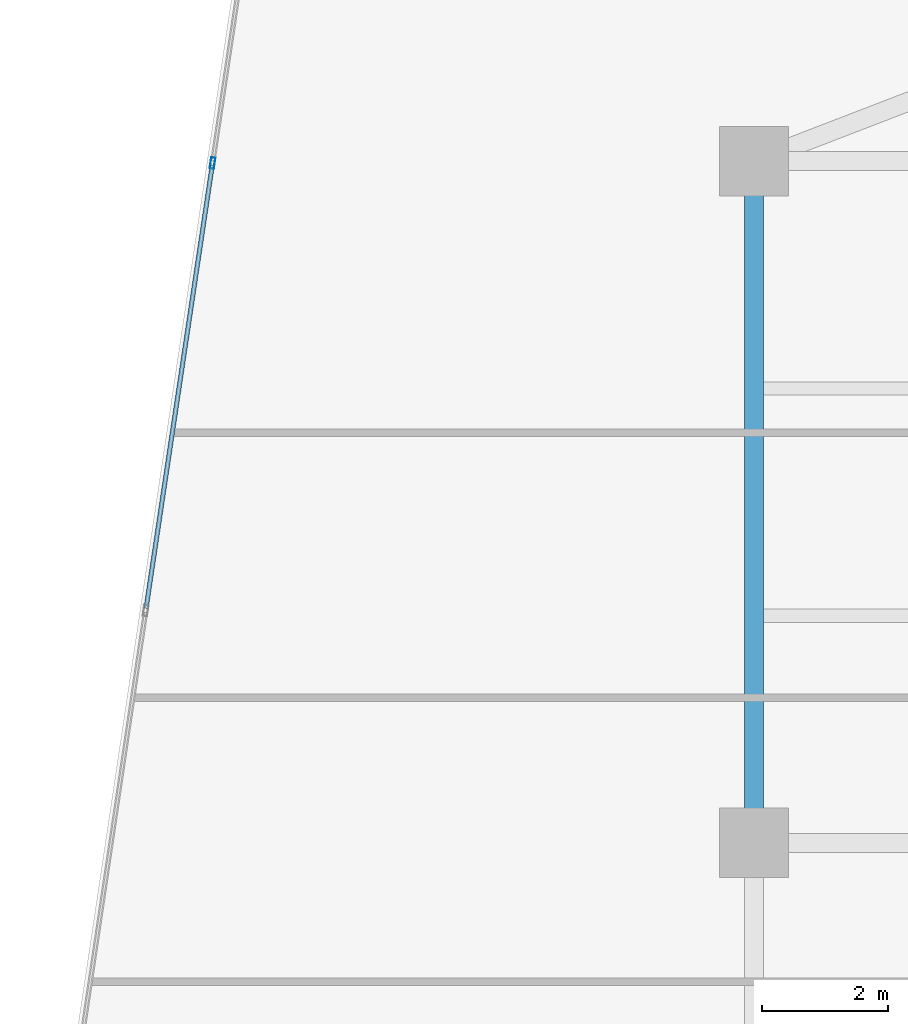
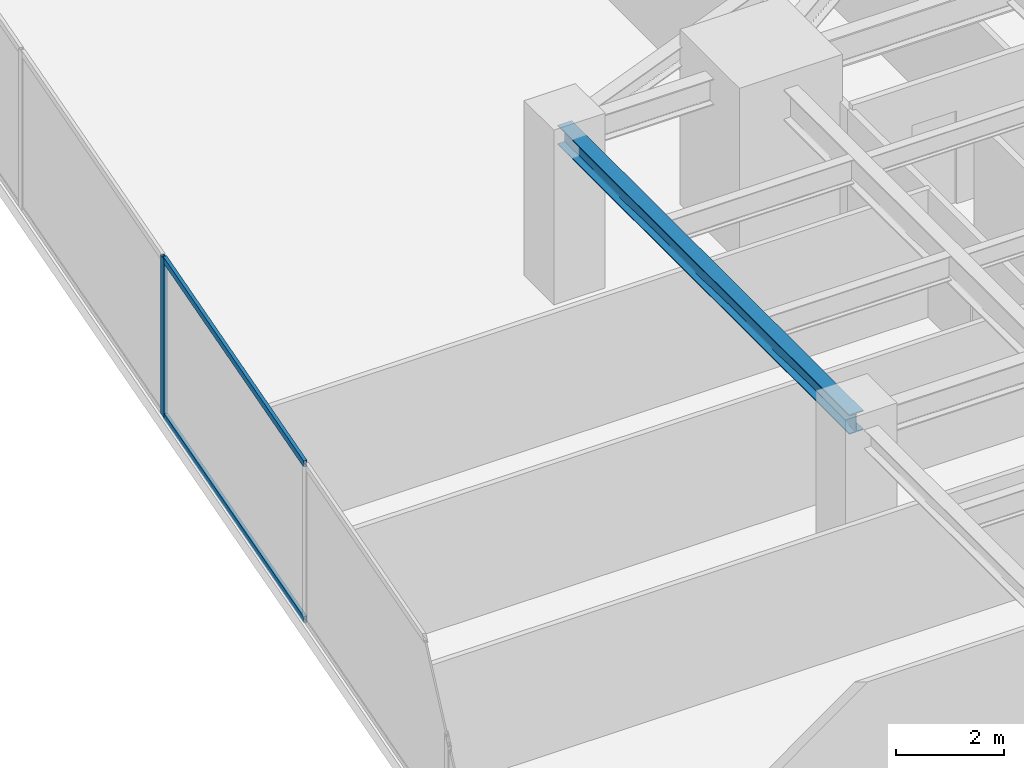
# One storey, part 15 of 29: 3 members, 1 beam, 1 element without a shape of its own.
"""IFC4 building model written with IfcOpenShell, lengths in metres."""

from ifc_helpers import new_model, si_unit, direction, frame, origin, origin_2d, place, context, subcontext, project, spatial, hollow_rectangle, i_section, extrude, source, transform, mapped, material, material_profile, profile_set, type_object, type_shapes, element, aggregate, save


model = new_model("IFC4")

# Units and contexts
model_context = context("Model", 3, precision=1e-05, world=origin(), true_north=direction((0.0, 1.0)))
body_context = subcontext(model_context, "Body", "Model", "MODEL_VIEW")
ifc_project = project(units=[si_unit("LENGTHUNIT", "METRE"), si_unit("AREAUNIT", "SQUARE_METRE"), si_unit("VOLUMEUNIT", "CUBIC_METRE"), si_unit("PLANEANGLEUNIT", "RADIAN"), si_unit("MASSUNIT", "GRAM", prefix="KILO")], contexts=[model_context])

# Site, building, storey
site_placement = place(None, origin())
site = spatial("IfcSite", under=ifc_project, at=site_placement, CompositionType="ELEMENT")
building_placement = place(site_placement, origin())
building = spatial("IfcBuilding", under=site, at=building_placement, Name="Krantzveldt Concourse Tower", CompositionType="ELEMENT")
storey_placement = place(building_placement, frame((0.0, 0.0, 76.35009765625)))
storey = spatial("IfcBuildingStorey", under=building, at=storey_placement, Name="L18", CompositionType="ELEMENT", Elevation=76.35009765625)

# Beam
ifc_material_1 = material(Name="Steel S355JR", Category="steel")
ifc_material_profile_1 = material_profile(ifc_material_1, i_section(OverallWidth=0.300048828125, OverallDepth=0.43994140625, WebThickness=0.011474609375, FlangeThickness=0.02099609375, FilletRadius=0.027099609375, at=origin_2d()), Name="Steel S355JR", Category="steel")
ifc_profile_set_1 = profile_set([ifc_material_profile_1], Name="Steel S355JR - HEA 450")
beam_type = type_object("IfcBeamType", Name="BM-SP-HEA450", PredefinedType="SPANDREL", material=ifc_profile_set_1)
shared_shape_1 = source(origin(), body_context, "Body", "SweptSolid", [
    extrude(i_section(OverallWidth=0.300048828125, OverallDepth=0.43994140625, WebThickness=0.011474609375, FlangeThickness=0.02099609375, FilletRadius=0.027099609375, at=origin_2d()), origin(), (0.0, 0.0, 1.0), 10.800048828125),
])
type_shapes(beam_type, [shared_shape_1])
beam_placement = place(storey_placement, frame((21.0, 26.699951171875, 3.369873046875), z_axis=(0.0, 1.0, 0.0), x_axis=(-1.0, 0.0, 0.0)))
element("IfcBeam", 1, at=beam_placement, inside=storey, type_object=beam_type, Name="L18 Tower Girder SP-R02", PredefinedType="SPANDREL", context=body_context, shape_type="MappedRepresentation", body=[
    mapped(shared_shape_1, transform((0.0, 0.0, 0.0), x_axis=(1.0, 0.0, 0.0), y_axis=(0.0, 1.0, 0.0), z_axis=(0.0, 0.0, 1.0), scale=1.0)),
])

# Curtain wall, members
ifc_material_2 = material(Name="Anodised aluminium 6063-T6", Category="aluminium")
curtain_wall_type = type_object("IfcCurtainWallType", Name="CW2", PredefinedType="USERDEFINED", material=ifc_material_2)
curtain_wall_placement = place(storey_placement, origin())
curtain_wall = element("IfcCurtainWall", 2, at=curtain_wall_placement, inside=storey, type_object=curtain_wall_type, Name="CW-L18-F01", ObjectType="UNITISED CURTAIN WALL", PredefinedType="USERDEFINED")
ifc_material_profile_2 = material_profile(ifc_material_2, hollow_rectangle(XDim=0.070068359375, YDim=0.139892578125, WallThickness=0.0048828125, at=origin_2d()), Name="Anodised aluminium 6063-T6", Category="aluminium")
ifc_profile_set_2 = profile_set([ifc_material_profile_2], Name="Anodised aluminium 6063-T6 - ALU-TRAN 140x70x5")
member_type_1 = type_object("IfcMemberType", Name="CW-TRN-150", PredefinedType="USERDEFINED", material=ifc_profile_set_2)
shared_shape_2 = source(origin(), body_context, "Body", "SweptSolid", [
    extrude(hollow_rectangle(XDim=0.070068359375, YDim=0.139892578125, WallThickness=0.0048828125, at=origin_2d()), origin(), (0.0, 0.0, 1.0), 7.0966796875),
])
type_shapes(member_type_1, [shared_shape_2])
member_1_placement = place(storey_placement, frame((12.417724609375, 37.435302734375, 0.034912109375), z_axis=(-0.14779033687, -0.989018713841, 0.0), x_axis=(0.989018713841, -0.14779033687, 0.0)))
member_1 = element("IfcMember", 3, at=member_1_placement, type_object=member_type_1, Name="CW-Z12 transom 3.1", ObjectType="TRANSOM", PredefinedType="USERDEFINED", context=body_context, shape_type="MappedRepresentation", body=[
    mapped(shared_shape_2, transform((0.0, 0.0, 0.0), x_axis=(1.0, 0.0, 0.0), y_axis=(0.0, 1.0, 0.0), z_axis=(0.0, 0.0, 1.0), scale=1.0)),
])
member_2_placement = place(storey_placement, frame((12.417724609375, 37.435302734375, 3.554931640625), z_axis=(-0.14779033687, -0.989018713841, 0.0), x_axis=(0.989018713841, -0.14779033687, 0.0)))
member_2 = element("IfcMember", 4, at=member_2_placement, type_object=member_type_1, Name="CW-Z12 transom 3.2", ObjectType="TRANSOM", PredefinedType="USERDEFINED", context=body_context, shape_type="MappedRepresentation", body=[
    mapped(shared_shape_2, transform((0.0, 0.0, 0.0), x_axis=(1.0, 0.0, 0.0), y_axis=(0.0, 1.0, 0.0), z_axis=(0.0, 0.0, 1.0), scale=1.0)),
])
ifc_material_profile_3 = material_profile(ifc_material_2, hollow_rectangle(XDim=0.070068359375, YDim=0.179931640625, WallThickness=0.0048828125, at=origin_2d()), Name="Anodised aluminium 6063-T6", Category="aluminium")
ifc_profile_set_3 = profile_set([ifc_material_profile_3], Name="Anodised aluminium 6063-T6 - ALU-MULL 180x70x5")
member_type_2 = type_object("IfcMemberType", Name="CW-MUL-180", PredefinedType="MULLION", material=ifc_profile_set_3)
shared_shape_3 = source(origin(), body_context, "Body", "SweptSolid", [
    extrude(hollow_rectangle(XDim=0.070068359375, YDim=0.179931640625, WallThickness=0.0048828125, at=origin_2d()), origin(), (0.0, 0.0, 1.0), 3.58984375),
])
type_shapes(member_type_2, [shared_shape_3])
member_3_placement = place(storey_placement, frame((12.4228515625, 37.469970703125, 0.0), z_axis=(0.0, 0.0, 1.0), x_axis=(0.989015849271, -0.147809505412, 0.0)))
member_3 = element("IfcMember", 5, at=member_3_placement, type_object=member_type_2, Name="CW-Z12 mullion 3", PredefinedType="MULLION", context=body_context, shape_type="MappedRepresentation", body=[
    mapped(shared_shape_3, transform((0.0, 0.0, 0.0), x_axis=(1.0, 0.0, 0.0), y_axis=(0.0, 1.0, 0.0), z_axis=(0.0, 0.0, 1.0), scale=1.0)),
])
aggregate(curtain_wall, [member_3, member_1, member_2])

save(model, "model.ifc")
